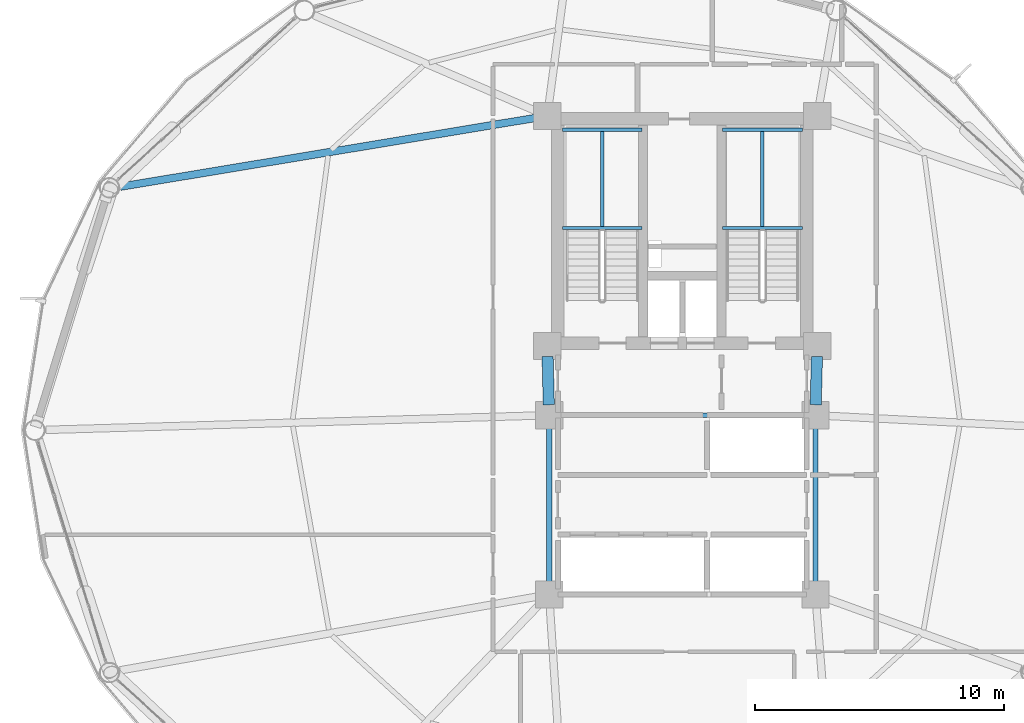
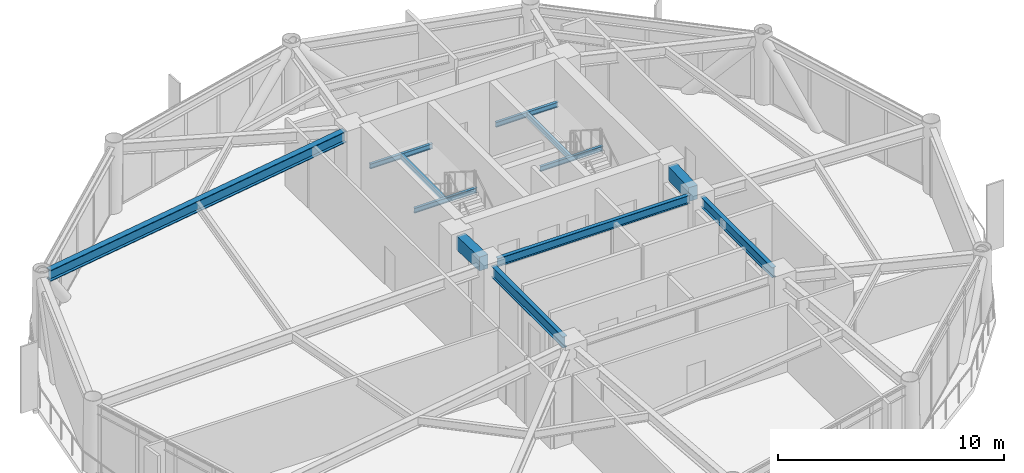
# One storey, part 10 of 23: 12 beams.
"""IFC4 building model written with IfcOpenShell, lengths in metres."""

from ifc_helpers import new_model, si_unit, direction, frame, origin, origin_2d, place, context, subcontext, project, spatial, rectangle, i_section, extrude, material, material_profile, profile_set, type_object, element, save


model = new_model("IFC4")

# Units and contexts
model_context = context("Model", 3, precision=1e-05, world=origin(), true_north=direction((0.0, 1.0)))
body_context = subcontext(model_context, "Body", "Model", "MODEL_VIEW")
ifc_project = project(units=[si_unit("LENGTHUNIT", "METRE"), si_unit("AREAUNIT", "SQUARE_METRE"), si_unit("VOLUMEUNIT", "CUBIC_METRE"), si_unit("PLANEANGLEUNIT", "RADIAN"), si_unit("MASSUNIT", "GRAM", prefix="KILO")], contexts=[model_context])

# Site, building, storey
site_placement = place(None, origin())
site = spatial("IfcSite", under=ifc_project, at=site_placement, CompositionType="ELEMENT")
building_placement = place(site_placement, origin())
building = spatial("IfcBuilding", under=site, at=building_placement, Name="Varnakorn Sky Granary", CompositionType="ELEMENT")
storey_placement = place(building_placement, frame((0.0, 0.0, 107.10009765625)))
storey = spatial("IfcBuildingStorey", under=building, at=storey_placement, Name="L26", CompositionType="ELEMENT", Elevation=107.10009765625)

# Beams
ifc_material_1 = material(Name="Steel S355JR", Category="steel")
ifc_material_profile_1 = material_profile(ifc_material_1, i_section(OverallWidth=0.2099609375, OverallDepth=0.550048828125, WebThickness=0.010986328125, FlangeThickness=0.01708984375, at=origin_2d()), Name="IPE 550")
ifc_profile_set_1 = profile_set([ifc_material_profile_1], Name="Steel S355JR")
beam_type_1 = type_object("IfcBeamType", Name="BM-JST-550", PredefinedType="JOIST", material=ifc_profile_set_1)
beam_1_placement = place(storey_placement, frame((8.35009765625, 0.179931640625, 3.364990234375), z_axis=(0.0, -1.0, 0.0), x_axis=(1.0, 0.0, 0.0)))
element("IfcBeam", 1, at=beam_1_placement, inside=storey, type_object=beam_type_1, Name="Core Spine Framing Beam 4 L26", PredefinedType="JOIST", context=body_context, shape_type="SweptSolid", body=[
    extrude(i_section(OverallWidth=0.2099609375, OverallDepth=0.550048828125, WebThickness=0.010986328125, FlangeThickness=0.01708984375, at=origin_2d()), origin(), (0.0, 0.0, 1.0), 6.35986328125),
])
ifc_material_profile_2 = material_profile(ifc_material_1, i_section(OverallWidth=0.219970703125, OverallDepth=0.60009765625, WebThickness=0.011962890625, FlangeThickness=0.01904296875, at=origin_2d()), Name="IPE 600")
ifc_profile_set_2 = profile_set([ifc_material_profile_2], Name="Steel S355JR")
beam_type_2 = type_object("IfcBeamType", Name="BM-JST-600", PredefinedType="JOIST", material=ifc_profile_set_2)
beam_2_placement = place(storey_placement, frame((-2.35009765625, 0.179931640625, 3.33984375), z_axis=(0.0, -1.0, 0.0), x_axis=(1.0, 0.0, 0.0)))
element("IfcBeam", 2, at=beam_2_placement, inside=storey, type_object=beam_type_2, Name="Core Spine Framing Beam 3 L26", PredefinedType="JOIST", context=body_context, shape_type="SweptSolid", body=[
    extrude(i_section(OverallWidth=0.219970703125, OverallDepth=0.60009765625, WebThickness=0.011962890625, FlangeThickness=0.01904296875, at=origin_2d()), origin(), (0.0, 0.0, 1.0), 6.35986328125),
])
ifc_material_2 = material(Name="Concrete C60/75", Category="concrete")
ifc_material_profile_3 = material_profile(ifc_material_2, rectangle(XDim=0.449951171875, YDim=0.75, at=origin_2d()), Name="RC 450x750")
ifc_profile_set_3 = profile_set([ifc_material_profile_3], Name="Concrete C60/75")
beam_type_3 = type_object("IfcBeamType", Name="BM-LIN-750", PredefinedType="LINTEL", material=ifc_profile_set_3)
for number, where, z_axis, x_axis, name in (
    (3, (-2.409423828125, 2.960205078125, 3.264892578125), (0.025158763514, -0.999683468213, 0.0), (0.999683468213, 0.025158763514, 0.0), "Core Spine Framing Beam 1 L26"),
    (4, (8.409423828125, 2.960205078125, 3.264892578125), (-0.025158763514, -0.999683468213, 0.0), (0.999683468213, -0.025158763514, 0.0), "Core Spine Framing Beam 2 L26"),
):
    element("IfcBeam", number, at=place(storey_placement, frame(where, z_axis=z_axis, x_axis=x_axis)), inside=storey, type_object=beam_type_3, Name=name, PredefinedType="LINTEL", context=body_context, shape_type="SweptSolid", body=[
        extrude(rectangle(XDim=0.449951171875, YDim=0.75, at=origin_2d()), origin(), (0.0, 0.0, 1.0), 1.94091796875),
    ])
ifc_material_profile_4 = material_profile(ifc_material_1, i_section(OverallWidth=0.135009765625, OverallDepth=0.27001953125, WebThickness=0.006591796875, FlangeThickness=0.01025390625, at=origin_2d()), Name="IPE 270")
ifc_profile_set_4 = profile_set([ifc_material_profile_4], Name="Steel S355JR")
beam_type_4 = type_object("IfcBeamType", Name="BM-LND-270", PredefinedType="BEAM", material=ifc_profile_set_4)
for number, where, z_axis, x_axis, name in (
    (5, (-1.820068359375, 8.1201171875, 1.614990234375), (1.0, 0.0, 0.0), (0.0, 1.0, 0.0), "Stair ST-1 Landing Trimmer Beam A L26-1"),
    (6, (-1.820068359375, 12.06005859375, 1.614990234375), (1.0, 0.0, 0.0), (0.0, 1.0, 0.0), "Stair ST-1 Landing Trimmer Beam B L26-1"),
):
    element("IfcBeam", number, at=place(storey_placement, frame(where, z_axis=z_axis, x_axis=x_axis)), inside=storey, type_object=beam_type_4, Name=name, PredefinedType="BEAM", context=body_context, shape_type="SweptSolid", body=[
        extrude(i_section(OverallWidth=0.135009765625, OverallDepth=0.27001953125, WebThickness=0.006591796875, FlangeThickness=0.01025390625, at=origin_2d()), origin(), (0.0, 0.0, 1.0), 3.199951171875),
    ])
beam_3_placement = place(storey_placement, frame((-0.219970703125, 8.1201171875, 1.614990234375), z_axis=(0.0, 1.0, 0.0), x_axis=(-1.0, 0.0, 0.0)))
element("IfcBeam", 7, at=beam_3_placement, inside=storey, type_object=beam_type_4, Name="Stair ST-1 Landing Cross Beam C L26-1", PredefinedType="BEAM", context=body_context, shape_type="SweptSolid", body=[
    extrude(i_section(OverallWidth=0.135009765625, OverallDepth=0.27001953125, WebThickness=0.006591796875, FlangeThickness=0.01025390625, at=origin_2d()), origin(), (0.0, 0.0, 1.0), 3.93994140625),
])
for number, where, z_axis, x_axis, name in (
    (8, (4.6201171875, 8.1201171875, 1.614990234375), (1.0, 0.0, 0.0), (0.0, 1.0, 0.0), "Stair ST-2 Landing Trimmer Beam A L26-1"),
    (9, (4.6201171875, 12.06005859375, 1.614990234375), (1.0, 0.0, 0.0), (0.0, 1.0, 0.0), "Stair ST-2 Landing Trimmer Beam B L26-1"),
):
    element("IfcBeam", number, at=place(storey_placement, frame(where, z_axis=z_axis, x_axis=x_axis)), inside=storey, type_object=beam_type_4, Name=name, PredefinedType="BEAM", context=body_context, shape_type="SweptSolid", body=[
        extrude(i_section(OverallWidth=0.135009765625, OverallDepth=0.27001953125, WebThickness=0.006591796875, FlangeThickness=0.01025390625, at=origin_2d()), origin(), (0.0, 0.0, 1.0), 3.199951171875),
    ])
beam_4_placement = place(storey_placement, frame((6.219970703125, 8.1201171875, 1.614990234375), z_axis=(0.0, 1.0, 0.0), x_axis=(-1.0, 0.0, 0.0)))
element("IfcBeam", 10, at=beam_4_placement, inside=storey, type_object=beam_type_4, Name="Stair ST-2 Landing Cross Beam C L26-1", PredefinedType="BEAM", context=body_context, shape_type="SweptSolid", body=[
    extrude(i_section(OverallWidth=0.135009765625, OverallDepth=0.27001953125, WebThickness=0.006591796875, FlangeThickness=0.01025390625, at=origin_2d()), origin(), (0.0, 0.0, 1.0), 3.93994140625),
])
ifc_material_profile_5 = material_profile(ifc_material_1, i_section(OverallWidth=0.300048828125, OverallDepth=0.60009765625, WebThickness=0.015380859375, FlangeThickness=0.030029296875, at=origin_2d()), Name="HE 600 B")
ifc_profile_set_5 = profile_set([ifc_material_profile_5], Name="Steel S355JR")
beam_type_5 = type_object("IfcBeamType", Name="BM-RAD-Z2", PredefinedType="BEAM", material=ifc_profile_set_5)
beam_5_placement = place(storey_placement, frame((-2.83447265625, 12.551513671875, 3.33984375), z_axis=(-0.986554070274, -0.163435205586, 0.0), x_axis=(0.163435205586, -0.986554070274, 0.0)))
element("IfcBeam", 11, at=beam_5_placement, inside=storey, type_object=beam_type_5, Name="Radial Floor Girder RG06 L26", PredefinedType="BEAM", context=body_context, shape_type="SweptSolid", body=[
    extrude(i_section(OverallWidth=0.300048828125, OverallDepth=0.60009765625, WebThickness=0.015380859375, FlangeThickness=0.030029296875, at=origin_2d()), origin(), (0.0, 0.0, 1.0), 16.966552734375),
])
ifc_material_profile_6 = material_profile(ifc_material_1, i_section(OverallWidth=0.18994140625, OverallDepth=0.449951171875, WebThickness=0.009521484375, FlangeThickness=0.0146484375, at=origin_2d()), Name="IPE 450")
ifc_profile_set_6 = profile_set([ifc_material_profile_6], Name="Steel S355JR")
beam_type_6 = type_object("IfcBeamType", Name="BM-SEC-Z2", PredefinedType="BEAM", material=ifc_profile_set_6)
beam_6_placement = place(storey_placement, frame((-1.929931640625, 0.60009765625, 3.414794921875), z_axis=(1.0, 0.0, 0.0), x_axis=(0.0, 1.0, 0.0)))
element("IfcBeam", 12, at=beam_6_placement, inside=storey, type_object=beam_type_6, Name="Core Spine Framing Beam 5 L26", PredefinedType="BEAM", context=body_context, shape_type="SweptSolid", body=[
    extrude(i_section(OverallWidth=0.18994140625, OverallDepth=0.449951171875, WebThickness=0.009521484375, FlangeThickness=0.0146484375, at=origin_2d()), origin(), (0.0, 0.0, 1.0), 9.85986328125),
])

save(model, "model.ifc")
